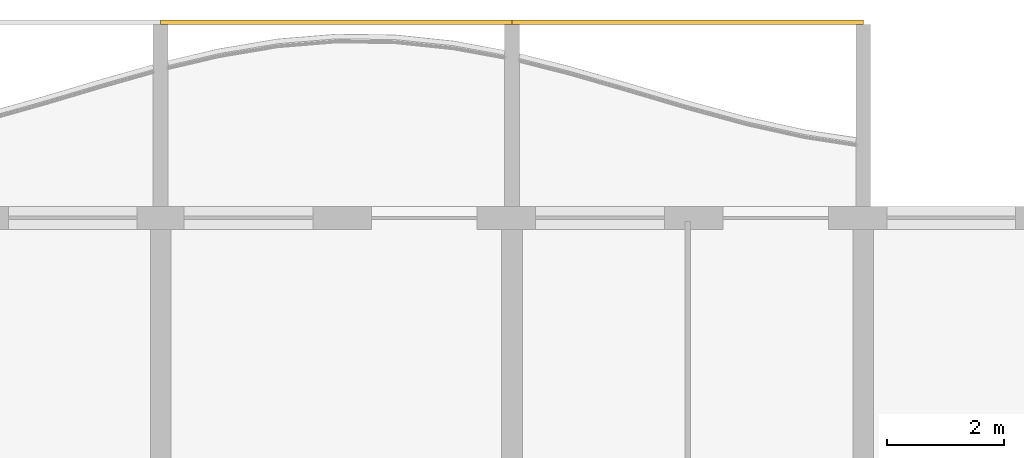
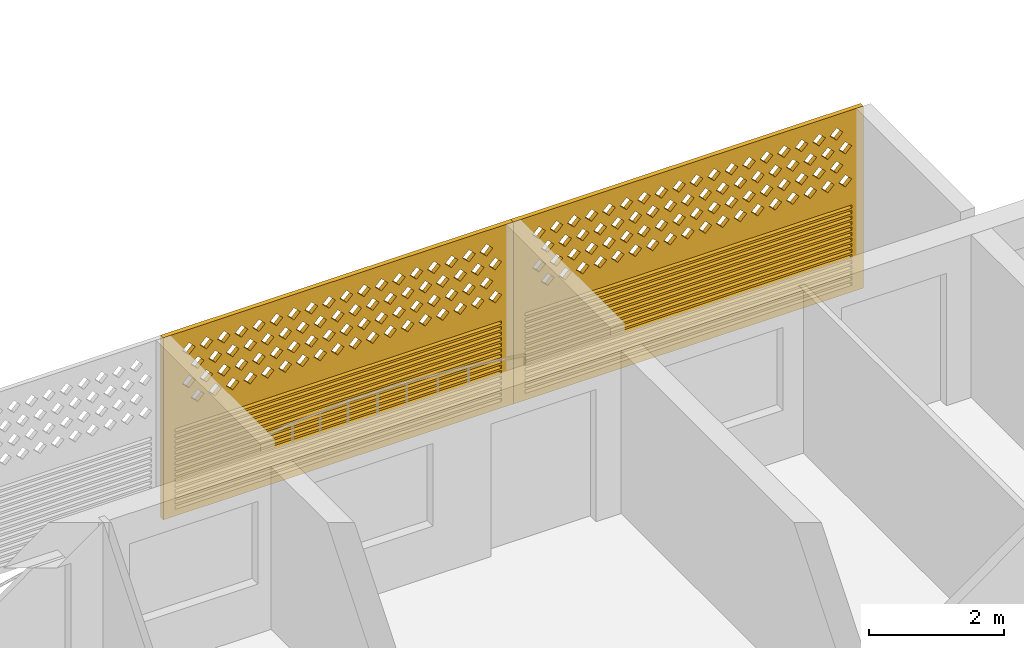
# One storey, part 22 of 24: 2 coverings.
"""IFC4 building model written with IfcOpenShell, lengths in metres."""

from ifc_helpers import new_model, si_unit, direction, frame, origin, place, context, subcontext, project, spatial, polyline, outline, extrude, source, transform, mapped, material, material_profile, profile_set, type_object, element, save


model = new_model("IFC4")

# Units and contexts
model_context = context("Model", 3, precision=1e-05, world=origin(), true_north=direction((0.0, 1.0)))
body_context = subcontext(model_context, "Body", "Model", "MODEL_VIEW")
ifc_project = project(units=[si_unit("LENGTHUNIT", "METRE"), si_unit("AREAUNIT", "SQUARE_METRE"), si_unit("VOLUMEUNIT", "CUBIC_METRE"), si_unit("PLANEANGLEUNIT", "RADIAN"), si_unit("MASSUNIT", "GRAM", prefix="KILO")], contexts=[model_context])

# Site, building, storey
site_placement = place(None, origin())
site = spatial("IfcSite", under=ifc_project, at=site_placement, CompositionType="ELEMENT")
building_placement = place(site_placement, origin())
building = spatial("IfcBuilding", under=site, at=building_placement, Name="Poui Terraces", CompositionType="ELEMENT")
storey_placement = place(building_placement, frame((0.0, 0.0, 112.5)))
storey = spatial("IfcBuildingStorey", under=building, at=storey_placement, Name="L31", CompositionType="ELEMENT", Elevation=112.5)

# Coverings
ifc_material = material(Name="Terracotta screen", Category="masonry")
ifc_material_profile = material_profile(ifc_material, outline(polyline([(-3.0, -1.64990234375), (3.0, -1.64990234375), (3.0, 1.64990234375), (-3.0, 1.64990234375), (-3.0, -1.64990234375)]), holes=[polyline([(-2.800048828125, 0.39990234375), (-2.68994140625, 0.2900390625), (-2.580078125, 0.39990234375), (-2.68994140625, 0.510009765625), (-2.800048828125, 0.39990234375)]), polyline([(-2.5, 0.39990234375), (-2.389892578125, 0.2900390625), (-2.280029296875, 0.39990234375), (-2.389892578125, 0.510009765625), (-2.5, 0.39990234375)]), polyline([(-2.199951171875, 0.39990234375), (-2.090087890625, 0.2900390625), (-1.97998046875, 0.39990234375), (-2.090087890625, 0.510009765625), (-2.199951171875, 0.39990234375)]), polyline([(-1.89990234375, 0.39990234375), (-1.7900390625, 0.2900390625), (-1.679931640625, 0.39990234375), (-1.7900390625, 0.510009765625), (-1.89990234375, 0.39990234375)]), polyline([(-1.60009765625, 0.39990234375), (-1.489990234375, 0.2900390625), (-1.3798828125, 0.39990234375), (-1.489990234375, 0.510009765625), (-1.60009765625, 0.39990234375)]), polyline([(-1.300048828125, 0.39990234375), (-1.18994140625, 0.2900390625), (-1.080078125, 0.39990234375), (-1.18994140625, 0.510009765625), (-1.300048828125, 0.39990234375)]), polyline([(-1.0, 0.39990234375), (-0.889892578125, 0.2900390625), (-0.780029296875, 0.39990234375), (-0.889892578125, 0.510009765625), (-1.0, 0.39990234375)]), polyline([(-0.699951171875, 0.39990234375), (-0.590087890625, 0.2900390625), (-0.47998046875, 0.39990234375), (-0.590087890625, 0.510009765625), (-0.699951171875, 0.39990234375)]), polyline([(-0.39990234375, 0.39990234375), (-0.2900390625, 0.2900390625), (-0.179931640625, 0.39990234375), (-0.2900390625, 0.510009765625), (-0.39990234375, 0.39990234375)]), polyline([(-0.10009765625, 0.39990234375), (0.010009765625, 0.2900390625), (0.1201171875, 0.39990234375), (0.010009765625, 0.510009765625), (-0.10009765625, 0.39990234375)]), polyline([(0.199951171875, 0.39990234375), (0.31005859375, 0.2900390625), (0.419921875, 0.39990234375), (0.31005859375, 0.510009765625), (0.199951171875, 0.39990234375)]), polyline([(0.5, 0.39990234375), (0.610107421875, 0.2900390625), (0.719970703125, 0.39990234375), (0.610107421875, 0.510009765625), (0.5, 0.39990234375)]), polyline([(0.800048828125, 0.39990234375), (0.909912109375, 0.2900390625), (1.02001953125, 0.39990234375), (0.909912109375, 0.510009765625), (0.800048828125, 0.39990234375)]), polyline([(1.10009765625, 0.39990234375), (1.2099609375, 0.2900390625), (1.320068359375, 0.39990234375), (1.2099609375, 0.510009765625), (1.10009765625, 0.39990234375)]), polyline([(1.39990234375, 0.39990234375), (1.510009765625, 0.2900390625), (1.6201171875, 0.39990234375), (1.510009765625, 0.510009765625), (1.39990234375, 0.39990234375)]), polyline([(1.699951171875, 0.39990234375), (1.81005859375, 0.2900390625), (1.919921875, 0.39990234375), (1.81005859375, 0.510009765625), (1.699951171875, 0.39990234375)]), polyline([(2.0, 0.39990234375), (2.110107421875, 0.2900390625), (2.219970703125, 0.39990234375), (2.110107421875, 0.510009765625), (2.0, 0.39990234375)]), polyline([(2.300048828125, 0.39990234375), (2.409912109375, 0.2900390625), (2.52001953125, 0.39990234375), (2.409912109375, 0.510009765625), (2.300048828125, 0.39990234375)]), polyline([(-2.64990234375, 0.699951171875), (-2.5400390625, 0.590087890625), (-2.429931640625, 0.699951171875), (-2.5400390625, 0.81005859375), (-2.64990234375, 0.699951171875)]), polyline([(-2.35009765625, 0.699951171875), (-2.239990234375, 0.590087890625), (-2.1298828125, 0.699951171875), (-2.239990234375, 0.81005859375), (-2.35009765625, 0.699951171875)]), polyline([(-2.050048828125, 0.699951171875), (-1.93994140625, 0.590087890625), (-1.830078125, 0.699951171875), (-1.93994140625, 0.81005859375), (-2.050048828125, 0.699951171875)]), polyline([(-1.75, 0.699951171875), (-1.639892578125, 0.590087890625), (-1.530029296875, 0.699951171875), (-1.639892578125, 0.81005859375), (-1.75, 0.699951171875)]), polyline([(-1.449951171875, 0.699951171875), (-1.340087890625, 0.590087890625), (-1.22998046875, 0.699951171875), (-1.340087890625, 0.81005859375), (-1.449951171875, 0.699951171875)]), polyline([(-1.14990234375, 0.699951171875), (-1.0400390625, 0.590087890625), (-0.929931640625, 0.699951171875), (-1.0400390625, 0.81005859375), (-1.14990234375, 0.699951171875)]), polyline([(-0.85009765625, 0.699951171875), (-0.739990234375, 0.590087890625), (-0.6298828125, 0.699951171875), (-0.739990234375, 0.81005859375), (-0.85009765625, 0.699951171875)]), polyline([(-0.550048828125, 0.699951171875), (-0.43994140625, 0.590087890625), (-0.330078125, 0.699951171875), (-0.43994140625, 0.81005859375), (-0.550048828125, 0.699951171875)]), polyline([(-0.25, 0.699951171875), (-0.139892578125, 0.590087890625), (-0.030029296875, 0.699951171875), (-0.139892578125, 0.81005859375), (-0.25, 0.699951171875)]), polyline([(0.050048828125, 0.699951171875), (0.159912109375, 0.590087890625), (0.27001953125, 0.699951171875), (0.159912109375, 0.81005859375), (0.050048828125, 0.699951171875)]), polyline([(0.35009765625, 0.699951171875), (0.4599609375, 0.590087890625), (0.570068359375, 0.699951171875), (0.4599609375, 0.81005859375), (0.35009765625, 0.699951171875)]), polyline([(0.64990234375, 0.699951171875), (0.760009765625, 0.590087890625), (0.8701171875, 0.699951171875), (0.760009765625, 0.81005859375), (0.64990234375, 0.699951171875)]), polyline([(0.949951171875, 0.699951171875), (1.06005859375, 0.590087890625), (1.169921875, 0.699951171875), (1.06005859375, 0.81005859375), (0.949951171875, 0.699951171875)]), polyline([(1.25, 0.699951171875), (1.360107421875, 0.590087890625), (1.469970703125, 0.699951171875), (1.360107421875, 0.81005859375), (1.25, 0.699951171875)]), polyline([(1.550048828125, 0.699951171875), (1.659912109375, 0.590087890625), (1.77001953125, 0.699951171875), (1.659912109375, 0.81005859375), (1.550048828125, 0.699951171875)]), polyline([(1.85009765625, 0.699951171875), (1.9599609375, 0.590087890625), (2.070068359375, 0.699951171875), (1.9599609375, 0.81005859375), (1.85009765625, 0.699951171875)]), polyline([(2.14990234375, 0.699951171875), (2.260009765625, 0.590087890625), (2.3701171875, 0.699951171875), (2.260009765625, 0.81005859375), (2.14990234375, 0.699951171875)]), polyline([(2.449951171875, 0.699951171875), (2.56005859375, 0.590087890625), (2.669921875, 0.699951171875), (2.56005859375, 0.81005859375), (2.449951171875, 0.699951171875)]), polyline([(-2.800048828125, 1.0), (-2.68994140625, 0.889892578125), (-2.580078125, 1.0), (-2.68994140625, 1.110107421875), (-2.800048828125, 1.0)]), polyline([(-2.5, 1.0), (-2.389892578125, 0.889892578125), (-2.280029296875, 1.0), (-2.389892578125, 1.110107421875), (-2.5, 1.0)]), polyline([(-2.199951171875, 1.0), (-2.090087890625, 0.889892578125), (-1.97998046875, 1.0), (-2.090087890625, 1.110107421875), (-2.199951171875, 1.0)]), polyline([(-1.89990234375, 1.0), (-1.7900390625, 0.889892578125), (-1.679931640625, 1.0), (-1.7900390625, 1.110107421875), (-1.89990234375, 1.0)]), polyline([(-1.60009765625, 1.0), (-1.489990234375, 0.889892578125), (-1.3798828125, 1.0), (-1.489990234375, 1.110107421875), (-1.60009765625, 1.0)]), polyline([(-1.300048828125, 1.0), (-1.18994140625, 0.889892578125), (-1.080078125, 1.0), (-1.18994140625, 1.110107421875), (-1.300048828125, 1.0)]), polyline([(-1.0, 1.0), (-0.889892578125, 0.889892578125), (-0.780029296875, 1.0), (-0.889892578125, 1.110107421875), (-1.0, 1.0)]), polyline([(-0.699951171875, 1.0), (-0.590087890625, 0.889892578125), (-0.47998046875, 1.0), (-0.590087890625, 1.110107421875), (-0.699951171875, 1.0)]), polyline([(-0.39990234375, 1.0), (-0.2900390625, 0.889892578125), (-0.179931640625, 1.0), (-0.2900390625, 1.110107421875), (-0.39990234375, 1.0)]), polyline([(-0.10009765625, 1.0), (0.010009765625, 0.889892578125), (0.1201171875, 1.0), (0.010009765625, 1.110107421875), (-0.10009765625, 1.0)]), polyline([(0.199951171875, 1.0), (0.31005859375, 0.889892578125), (0.419921875, 1.0), (0.31005859375, 1.110107421875), (0.199951171875, 1.0)]), polyline([(0.5, 1.0), (0.610107421875, 0.889892578125), (0.719970703125, 1.0), (0.610107421875, 1.110107421875), (0.5, 1.0)]), polyline([(0.800048828125, 1.0), (0.909912109375, 0.889892578125), (1.02001953125, 1.0), (0.909912109375, 1.110107421875), (0.800048828125, 1.0)]), polyline([(1.10009765625, 1.0), (1.2099609375, 0.889892578125), (1.320068359375, 1.0), (1.2099609375, 1.110107421875), (1.10009765625, 1.0)]), polyline([(1.39990234375, 1.0), (1.510009765625, 0.889892578125), (1.6201171875, 1.0), (1.510009765625, 1.110107421875), (1.39990234375, 1.0)]), polyline([(1.699951171875, 1.0), (1.81005859375, 0.889892578125), (1.919921875, 1.0), (1.81005859375, 1.110107421875), (1.699951171875, 1.0)]), polyline([(2.0, 1.0), (2.110107421875, 0.889892578125), (2.219970703125, 1.0), (2.110107421875, 1.110107421875), (2.0, 1.0)]), polyline([(2.300048828125, 1.0), (2.409912109375, 0.889892578125), (2.52001953125, 1.0), (2.409912109375, 1.110107421875), (2.300048828125, 1.0)]), polyline([(-2.64990234375, 1.300048828125), (-2.5400390625, 1.18994140625), (-2.429931640625, 1.300048828125), (-2.5400390625, 1.409912109375), (-2.64990234375, 1.300048828125)]), polyline([(-2.35009765625, 1.300048828125), (-2.239990234375, 1.18994140625), (-2.1298828125, 1.300048828125), (-2.239990234375, 1.409912109375), (-2.35009765625, 1.300048828125)]), polyline([(-2.050048828125, 1.300048828125), (-1.93994140625, 1.18994140625), (-1.830078125, 1.300048828125), (-1.93994140625, 1.409912109375), (-2.050048828125, 1.300048828125)]), polyline([(-1.75, 1.300048828125), (-1.639892578125, 1.18994140625), (-1.530029296875, 1.300048828125), (-1.639892578125, 1.409912109375), (-1.75, 1.300048828125)]), polyline([(-1.449951171875, 1.300048828125), (-1.340087890625, 1.18994140625), (-1.22998046875, 1.300048828125), (-1.340087890625, 1.409912109375), (-1.449951171875, 1.300048828125)]), polyline([(-1.14990234375, 1.300048828125), (-1.0400390625, 1.18994140625), (-0.929931640625, 1.300048828125), (-1.0400390625, 1.409912109375), (-1.14990234375, 1.300048828125)]), polyline([(-0.85009765625, 1.300048828125), (-0.739990234375, 1.18994140625), (-0.6298828125, 1.300048828125), (-0.739990234375, 1.409912109375), (-0.85009765625, 1.300048828125)]), polyline([(-0.550048828125, 1.300048828125), (-0.43994140625, 1.18994140625), (-0.330078125, 1.300048828125), (-0.43994140625, 1.409912109375), (-0.550048828125, 1.300048828125)]), polyline([(-0.25, 1.300048828125), (-0.139892578125, 1.18994140625), (-0.030029296875, 1.300048828125), (-0.139892578125, 1.409912109375), (-0.25, 1.300048828125)]), polyline([(0.050048828125, 1.300048828125), (0.159912109375, 1.18994140625), (0.27001953125, 1.300048828125), (0.159912109375, 1.409912109375), (0.050048828125, 1.300048828125)]), polyline([(0.35009765625, 1.300048828125), (0.4599609375, 1.18994140625), (0.570068359375, 1.300048828125), (0.4599609375, 1.409912109375), (0.35009765625, 1.300048828125)]), polyline([(0.64990234375, 1.300048828125), (0.760009765625, 1.18994140625), (0.8701171875, 1.300048828125), (0.760009765625, 1.409912109375), (0.64990234375, 1.300048828125)]), polyline([(0.949951171875, 1.300048828125), (1.06005859375, 1.18994140625), (1.169921875, 1.300048828125), (1.06005859375, 1.409912109375), (0.949951171875, 1.300048828125)]), polyline([(1.25, 1.300048828125), (1.360107421875, 1.18994140625), (1.469970703125, 1.300048828125), (1.360107421875, 1.409912109375), (1.25, 1.300048828125)]), polyline([(1.550048828125, 1.300048828125), (1.659912109375, 1.18994140625), (1.77001953125, 1.300048828125), (1.659912109375, 1.409912109375), (1.550048828125, 1.300048828125)]), polyline([(1.85009765625, 1.300048828125), (1.9599609375, 1.18994140625), (2.070068359375, 1.300048828125), (1.9599609375, 1.409912109375), (1.85009765625, 1.300048828125)]), polyline([(2.14990234375, 1.300048828125), (2.260009765625, 1.18994140625), (2.3701171875, 1.300048828125), (2.260009765625, 1.409912109375), (2.14990234375, 1.300048828125)]), polyline([(2.449951171875, 1.300048828125), (2.56005859375, 1.18994140625), (2.669921875, 1.300048828125), (2.56005859375, 1.409912109375), (2.449951171875, 1.300048828125)]), polyline([(-2.800048828125, -1.530029296875), (2.800048828125, -1.530029296875), (2.800048828125, -1.469970703125), (-2.800048828125, -1.469970703125), (-2.800048828125, -1.530029296875)]), polyline([(-2.800048828125, -1.429931640625), (2.800048828125, -1.429931640625), (2.800048828125, -1.3701171875), (-2.800048828125, -1.3701171875), (-2.800048828125, -1.429931640625)]), polyline([(-2.800048828125, -1.330078125), (2.800048828125, -1.330078125), (2.800048828125, -1.27001953125), (-2.800048828125, -1.27001953125), (-2.800048828125, -1.330078125)]), polyline([(-2.800048828125, -1.22998046875), (2.800048828125, -1.22998046875), (2.800048828125, -1.169921875), (-2.800048828125, -1.169921875), (-2.800048828125, -1.22998046875)]), polyline([(-2.800048828125, -1.1298828125), (2.800048828125, -1.1298828125), (2.800048828125, -1.070068359375), (-2.800048828125, -1.070068359375), (-2.800048828125, -1.1298828125)]), polyline([(-2.800048828125, -1.030029296875), (2.800048828125, -1.030029296875), (2.800048828125, -0.969970703125), (-2.800048828125, -0.969970703125), (-2.800048828125, -1.030029296875)]), polyline([(-2.800048828125, -0.929931640625), (2.800048828125, -0.929931640625), (2.800048828125, -0.8701171875), (-2.800048828125, -0.8701171875), (-2.800048828125, -0.929931640625)]), polyline([(-2.800048828125, -0.830078125), (2.800048828125, -0.830078125), (2.800048828125, -0.77001953125), (-2.800048828125, -0.77001953125), (-2.800048828125, -0.830078125)]), polyline([(-2.800048828125, -0.72998046875), (2.800048828125, -0.72998046875), (2.800048828125, -0.669921875), (-2.800048828125, -0.669921875), (-2.800048828125, -0.72998046875)]), polyline([(-2.800048828125, -0.6298828125), (2.800048828125, -0.6298828125), (2.800048828125, -0.570068359375), (-2.800048828125, -0.570068359375), (-2.800048828125, -0.6298828125)]), polyline([(-2.800048828125, -0.530029296875), (2.800048828125, -0.530029296875), (2.800048828125, -0.469970703125), (-2.800048828125, -0.469970703125), (-2.800048828125, -0.530029296875)]), polyline([(-2.800048828125, -0.429931640625), (2.800048828125, -0.429931640625), (2.800048828125, -0.3701171875), (-2.800048828125, -0.3701171875), (-2.800048828125, -0.429931640625)]), polyline([(-2.800048828125, -0.330078125), (2.800048828125, -0.330078125), (2.800048828125, -0.27001953125), (-2.800048828125, -0.27001953125), (-2.800048828125, -0.330078125)]), polyline([(-2.800048828125, -0.22998046875), (2.800048828125, -0.22998046875), (2.800048828125, -0.169921875), (-2.800048828125, -0.169921875), (-2.800048828125, -0.22998046875)]), polyline([(-2.800048828125, -0.1298828125), (2.800048828125, -0.1298828125), (2.800048828125, -0.070068359375), (-2.800048828125, -0.070068359375), (-2.800048828125, -0.1298828125)])]), Name="TERRACOTTA SCREEN AND JALOUSIE LOUVRE 6000X3300")
ifc_profile_set = profile_set([ifc_material_profile], Name="Terracotta screen")
covering_type = type_object("IfcCoveringType", Name="TERRACOTTA SCREEN AND JALOUSIE LOUVRE 6000X3300", PredefinedType="CLADDING", material=ifc_profile_set)
shared_shape = source(origin(), body_context, "Body", "SweptSolid", [
    extrude(outline(polyline([(-3.0, -1.64990234375), (3.0, -1.64990234375), (3.0, 1.64990234375), (-3.0, 1.64990234375), (-3.0, -1.64990234375)]), holes=[polyline([(-2.800048828125, 0.39990234375), (-2.68994140625, 0.2900390625), (-2.580078125, 0.39990234375), (-2.68994140625, 0.510009765625), (-2.800048828125, 0.39990234375)]), polyline([(-2.5, 0.39990234375), (-2.389892578125, 0.2900390625), (-2.280029296875, 0.39990234375), (-2.389892578125, 0.510009765625), (-2.5, 0.39990234375)]), polyline([(-2.199951171875, 0.39990234375), (-2.090087890625, 0.2900390625), (-1.97998046875, 0.39990234375), (-2.090087890625, 0.510009765625), (-2.199951171875, 0.39990234375)]), polyline([(-1.89990234375, 0.39990234375), (-1.7900390625, 0.2900390625), (-1.679931640625, 0.39990234375), (-1.7900390625, 0.510009765625), (-1.89990234375, 0.39990234375)]), polyline([(-1.60009765625, 0.39990234375), (-1.489990234375, 0.2900390625), (-1.3798828125, 0.39990234375), (-1.489990234375, 0.510009765625), (-1.60009765625, 0.39990234375)]), polyline([(-1.300048828125, 0.39990234375), (-1.18994140625, 0.2900390625), (-1.080078125, 0.39990234375), (-1.18994140625, 0.510009765625), (-1.300048828125, 0.39990234375)]), polyline([(-1.0, 0.39990234375), (-0.889892578125, 0.2900390625), (-0.780029296875, 0.39990234375), (-0.889892578125, 0.510009765625), (-1.0, 0.39990234375)]), polyline([(-0.699951171875, 0.39990234375), (-0.590087890625, 0.2900390625), (-0.47998046875, 0.39990234375), (-0.590087890625, 0.510009765625), (-0.699951171875, 0.39990234375)]), polyline([(-0.39990234375, 0.39990234375), (-0.2900390625, 0.2900390625), (-0.179931640625, 0.39990234375), (-0.2900390625, 0.510009765625), (-0.39990234375, 0.39990234375)]), polyline([(-0.10009765625, 0.39990234375), (0.010009765625, 0.2900390625), (0.1201171875, 0.39990234375), (0.010009765625, 0.510009765625), (-0.10009765625, 0.39990234375)]), polyline([(0.199951171875, 0.39990234375), (0.31005859375, 0.2900390625), (0.419921875, 0.39990234375), (0.31005859375, 0.510009765625), (0.199951171875, 0.39990234375)]), polyline([(0.5, 0.39990234375), (0.610107421875, 0.2900390625), (0.719970703125, 0.39990234375), (0.610107421875, 0.510009765625), (0.5, 0.39990234375)]), polyline([(0.800048828125, 0.39990234375), (0.909912109375, 0.2900390625), (1.02001953125, 0.39990234375), (0.909912109375, 0.510009765625), (0.800048828125, 0.39990234375)]), polyline([(1.10009765625, 0.39990234375), (1.2099609375, 0.2900390625), (1.320068359375, 0.39990234375), (1.2099609375, 0.510009765625), (1.10009765625, 0.39990234375)]), polyline([(1.39990234375, 0.39990234375), (1.510009765625, 0.2900390625), (1.6201171875, 0.39990234375), (1.510009765625, 0.510009765625), (1.39990234375, 0.39990234375)]), polyline([(1.699951171875, 0.39990234375), (1.81005859375, 0.2900390625), (1.919921875, 0.39990234375), (1.81005859375, 0.510009765625), (1.699951171875, 0.39990234375)]), polyline([(2.0, 0.39990234375), (2.110107421875, 0.2900390625), (2.219970703125, 0.39990234375), (2.110107421875, 0.510009765625), (2.0, 0.39990234375)]), polyline([(2.300048828125, 0.39990234375), (2.409912109375, 0.2900390625), (2.52001953125, 0.39990234375), (2.409912109375, 0.510009765625), (2.300048828125, 0.39990234375)]), polyline([(-2.64990234375, 0.699951171875), (-2.5400390625, 0.590087890625), (-2.429931640625, 0.699951171875), (-2.5400390625, 0.81005859375), (-2.64990234375, 0.699951171875)]), polyline([(-2.35009765625, 0.699951171875), (-2.239990234375, 0.590087890625), (-2.1298828125, 0.699951171875), (-2.239990234375, 0.81005859375), (-2.35009765625, 0.699951171875)]), polyline([(-2.050048828125, 0.699951171875), (-1.93994140625, 0.590087890625), (-1.830078125, 0.699951171875), (-1.93994140625, 0.81005859375), (-2.050048828125, 0.699951171875)]), polyline([(-1.75, 0.699951171875), (-1.639892578125, 0.590087890625), (-1.530029296875, 0.699951171875), (-1.639892578125, 0.81005859375), (-1.75, 0.699951171875)]), polyline([(-1.449951171875, 0.699951171875), (-1.340087890625, 0.590087890625), (-1.22998046875, 0.699951171875), (-1.340087890625, 0.81005859375), (-1.449951171875, 0.699951171875)]), polyline([(-1.14990234375, 0.699951171875), (-1.0400390625, 0.590087890625), (-0.929931640625, 0.699951171875), (-1.0400390625, 0.81005859375), (-1.14990234375, 0.699951171875)]), polyline([(-0.85009765625, 0.699951171875), (-0.739990234375, 0.590087890625), (-0.6298828125, 0.699951171875), (-0.739990234375, 0.81005859375), (-0.85009765625, 0.699951171875)]), polyline([(-0.550048828125, 0.699951171875), (-0.43994140625, 0.590087890625), (-0.330078125, 0.699951171875), (-0.43994140625, 0.81005859375), (-0.550048828125, 0.699951171875)]), polyline([(-0.25, 0.699951171875), (-0.139892578125, 0.590087890625), (-0.030029296875, 0.699951171875), (-0.139892578125, 0.81005859375), (-0.25, 0.699951171875)]), polyline([(0.050048828125, 0.699951171875), (0.159912109375, 0.590087890625), (0.27001953125, 0.699951171875), (0.159912109375, 0.81005859375), (0.050048828125, 0.699951171875)]), polyline([(0.35009765625, 0.699951171875), (0.4599609375, 0.590087890625), (0.570068359375, 0.699951171875), (0.4599609375, 0.81005859375), (0.35009765625, 0.699951171875)]), polyline([(0.64990234375, 0.699951171875), (0.760009765625, 0.590087890625), (0.8701171875, 0.699951171875), (0.760009765625, 0.81005859375), (0.64990234375, 0.699951171875)]), polyline([(0.949951171875, 0.699951171875), (1.06005859375, 0.590087890625), (1.169921875, 0.699951171875), (1.06005859375, 0.81005859375), (0.949951171875, 0.699951171875)]), polyline([(1.25, 0.699951171875), (1.360107421875, 0.590087890625), (1.469970703125, 0.699951171875), (1.360107421875, 0.81005859375), (1.25, 0.699951171875)]), polyline([(1.550048828125, 0.699951171875), (1.659912109375, 0.590087890625), (1.77001953125, 0.699951171875), (1.659912109375, 0.81005859375), (1.550048828125, 0.699951171875)]), polyline([(1.85009765625, 0.699951171875), (1.9599609375, 0.590087890625), (2.070068359375, 0.699951171875), (1.9599609375, 0.81005859375), (1.85009765625, 0.699951171875)]), polyline([(2.14990234375, 0.699951171875), (2.260009765625, 0.590087890625), (2.3701171875, 0.699951171875), (2.260009765625, 0.81005859375), (2.14990234375, 0.699951171875)]), polyline([(2.449951171875, 0.699951171875), (2.56005859375, 0.590087890625), (2.669921875, 0.699951171875), (2.56005859375, 0.81005859375), (2.449951171875, 0.699951171875)]), polyline([(-2.800048828125, 1.0), (-2.68994140625, 0.889892578125), (-2.580078125, 1.0), (-2.68994140625, 1.110107421875), (-2.800048828125, 1.0)]), polyline([(-2.5, 1.0), (-2.389892578125, 0.889892578125), (-2.280029296875, 1.0), (-2.389892578125, 1.110107421875), (-2.5, 1.0)]), polyline([(-2.199951171875, 1.0), (-2.090087890625, 0.889892578125), (-1.97998046875, 1.0), (-2.090087890625, 1.110107421875), (-2.199951171875, 1.0)]), polyline([(-1.89990234375, 1.0), (-1.7900390625, 0.889892578125), (-1.679931640625, 1.0), (-1.7900390625, 1.110107421875), (-1.89990234375, 1.0)]), polyline([(-1.60009765625, 1.0), (-1.489990234375, 0.889892578125), (-1.3798828125, 1.0), (-1.489990234375, 1.110107421875), (-1.60009765625, 1.0)]), polyline([(-1.300048828125, 1.0), (-1.18994140625, 0.889892578125), (-1.080078125, 1.0), (-1.18994140625, 1.110107421875), (-1.300048828125, 1.0)]), polyline([(-1.0, 1.0), (-0.889892578125, 0.889892578125), (-0.780029296875, 1.0), (-0.889892578125, 1.110107421875), (-1.0, 1.0)]), polyline([(-0.699951171875, 1.0), (-0.590087890625, 0.889892578125), (-0.47998046875, 1.0), (-0.590087890625, 1.110107421875), (-0.699951171875, 1.0)]), polyline([(-0.39990234375, 1.0), (-0.2900390625, 0.889892578125), (-0.179931640625, 1.0), (-0.2900390625, 1.110107421875), (-0.39990234375, 1.0)]), polyline([(-0.10009765625, 1.0), (0.010009765625, 0.889892578125), (0.1201171875, 1.0), (0.010009765625, 1.110107421875), (-0.10009765625, 1.0)]), polyline([(0.199951171875, 1.0), (0.31005859375, 0.889892578125), (0.419921875, 1.0), (0.31005859375, 1.110107421875), (0.199951171875, 1.0)]), polyline([(0.5, 1.0), (0.610107421875, 0.889892578125), (0.719970703125, 1.0), (0.610107421875, 1.110107421875), (0.5, 1.0)]), polyline([(0.800048828125, 1.0), (0.909912109375, 0.889892578125), (1.02001953125, 1.0), (0.909912109375, 1.110107421875), (0.800048828125, 1.0)]), polyline([(1.10009765625, 1.0), (1.2099609375, 0.889892578125), (1.320068359375, 1.0), (1.2099609375, 1.110107421875), (1.10009765625, 1.0)]), polyline([(1.39990234375, 1.0), (1.510009765625, 0.889892578125), (1.6201171875, 1.0), (1.510009765625, 1.110107421875), (1.39990234375, 1.0)]), polyline([(1.699951171875, 1.0), (1.81005859375, 0.889892578125), (1.919921875, 1.0), (1.81005859375, 1.110107421875), (1.699951171875, 1.0)]), polyline([(2.0, 1.0), (2.110107421875, 0.889892578125), (2.219970703125, 1.0), (2.110107421875, 1.110107421875), (2.0, 1.0)]), polyline([(2.300048828125, 1.0), (2.409912109375, 0.889892578125), (2.52001953125, 1.0), (2.409912109375, 1.110107421875), (2.300048828125, 1.0)]), polyline([(-2.64990234375, 1.300048828125), (-2.5400390625, 1.18994140625), (-2.429931640625, 1.300048828125), (-2.5400390625, 1.409912109375), (-2.64990234375, 1.300048828125)]), polyline([(-2.35009765625, 1.300048828125), (-2.239990234375, 1.18994140625), (-2.1298828125, 1.300048828125), (-2.239990234375, 1.409912109375), (-2.35009765625, 1.300048828125)]), polyline([(-2.050048828125, 1.300048828125), (-1.93994140625, 1.18994140625), (-1.830078125, 1.300048828125), (-1.93994140625, 1.409912109375), (-2.050048828125, 1.300048828125)]), polyline([(-1.75, 1.300048828125), (-1.639892578125, 1.18994140625), (-1.530029296875, 1.300048828125), (-1.639892578125, 1.409912109375), (-1.75, 1.300048828125)]), polyline([(-1.449951171875, 1.300048828125), (-1.340087890625, 1.18994140625), (-1.22998046875, 1.300048828125), (-1.340087890625, 1.409912109375), (-1.449951171875, 1.300048828125)]), polyline([(-1.14990234375, 1.300048828125), (-1.0400390625, 1.18994140625), (-0.929931640625, 1.300048828125), (-1.0400390625, 1.409912109375), (-1.14990234375, 1.300048828125)]), polyline([(-0.85009765625, 1.300048828125), (-0.739990234375, 1.18994140625), (-0.6298828125, 1.300048828125), (-0.739990234375, 1.409912109375), (-0.85009765625, 1.300048828125)]), polyline([(-0.550048828125, 1.300048828125), (-0.43994140625, 1.18994140625), (-0.330078125, 1.300048828125), (-0.43994140625, 1.409912109375), (-0.550048828125, 1.300048828125)]), polyline([(-0.25, 1.300048828125), (-0.139892578125, 1.18994140625), (-0.030029296875, 1.300048828125), (-0.139892578125, 1.409912109375), (-0.25, 1.300048828125)]), polyline([(0.050048828125, 1.300048828125), (0.159912109375, 1.18994140625), (0.27001953125, 1.300048828125), (0.159912109375, 1.409912109375), (0.050048828125, 1.300048828125)]), polyline([(0.35009765625, 1.300048828125), (0.4599609375, 1.18994140625), (0.570068359375, 1.300048828125), (0.4599609375, 1.409912109375), (0.35009765625, 1.300048828125)]), polyline([(0.64990234375, 1.300048828125), (0.760009765625, 1.18994140625), (0.8701171875, 1.300048828125), (0.760009765625, 1.409912109375), (0.64990234375, 1.300048828125)]), polyline([(0.949951171875, 1.300048828125), (1.06005859375, 1.18994140625), (1.169921875, 1.300048828125), (1.06005859375, 1.409912109375), (0.949951171875, 1.300048828125)]), polyline([(1.25, 1.300048828125), (1.360107421875, 1.18994140625), (1.469970703125, 1.300048828125), (1.360107421875, 1.409912109375), (1.25, 1.300048828125)]), polyline([(1.550048828125, 1.300048828125), (1.659912109375, 1.18994140625), (1.77001953125, 1.300048828125), (1.659912109375, 1.409912109375), (1.550048828125, 1.300048828125)]), polyline([(1.85009765625, 1.300048828125), (1.9599609375, 1.18994140625), (2.070068359375, 1.300048828125), (1.9599609375, 1.409912109375), (1.85009765625, 1.300048828125)]), polyline([(2.14990234375, 1.300048828125), (2.260009765625, 1.18994140625), (2.3701171875, 1.300048828125), (2.260009765625, 1.409912109375), (2.14990234375, 1.300048828125)]), polyline([(2.449951171875, 1.300048828125), (2.56005859375, 1.18994140625), (2.669921875, 1.300048828125), (2.56005859375, 1.409912109375), (2.449951171875, 1.300048828125)]), polyline([(-2.800048828125, -1.530029296875), (2.800048828125, -1.530029296875), (2.800048828125, -1.469970703125), (-2.800048828125, -1.469970703125), (-2.800048828125, -1.530029296875)]), polyline([(-2.800048828125, -1.429931640625), (2.800048828125, -1.429931640625), (2.800048828125, -1.3701171875), (-2.800048828125, -1.3701171875), (-2.800048828125, -1.429931640625)]), polyline([(-2.800048828125, -1.330078125), (2.800048828125, -1.330078125), (2.800048828125, -1.27001953125), (-2.800048828125, -1.27001953125), (-2.800048828125, -1.330078125)]), polyline([(-2.800048828125, -1.22998046875), (2.800048828125, -1.22998046875), (2.800048828125, -1.169921875), (-2.800048828125, -1.169921875), (-2.800048828125, -1.22998046875)]), polyline([(-2.800048828125, -1.1298828125), (2.800048828125, -1.1298828125), (2.800048828125, -1.070068359375), (-2.800048828125, -1.070068359375), (-2.800048828125, -1.1298828125)]), polyline([(-2.800048828125, -1.030029296875), (2.800048828125, -1.030029296875), (2.800048828125, -0.969970703125), (-2.800048828125, -0.969970703125), (-2.800048828125, -1.030029296875)]), polyline([(-2.800048828125, -0.929931640625), (2.800048828125, -0.929931640625), (2.800048828125, -0.8701171875), (-2.800048828125, -0.8701171875), (-2.800048828125, -0.929931640625)]), polyline([(-2.800048828125, -0.830078125), (2.800048828125, -0.830078125), (2.800048828125, -0.77001953125), (-2.800048828125, -0.77001953125), (-2.800048828125, -0.830078125)]), polyline([(-2.800048828125, -0.72998046875), (2.800048828125, -0.72998046875), (2.800048828125, -0.669921875), (-2.800048828125, -0.669921875), (-2.800048828125, -0.72998046875)]), polyline([(-2.800048828125, -0.6298828125), (2.800048828125, -0.6298828125), (2.800048828125, -0.570068359375), (-2.800048828125, -0.570068359375), (-2.800048828125, -0.6298828125)]), polyline([(-2.800048828125, -0.530029296875), (2.800048828125, -0.530029296875), (2.800048828125, -0.469970703125), (-2.800048828125, -0.469970703125), (-2.800048828125, -0.530029296875)]), polyline([(-2.800048828125, -0.429931640625), (2.800048828125, -0.429931640625), (2.800048828125, -0.3701171875), (-2.800048828125, -0.3701171875), (-2.800048828125, -0.429931640625)]), polyline([(-2.800048828125, -0.330078125), (2.800048828125, -0.330078125), (2.800048828125, -0.27001953125), (-2.800048828125, -0.27001953125), (-2.800048828125, -0.330078125)]), polyline([(-2.800048828125, -0.22998046875), (2.800048828125, -0.22998046875), (2.800048828125, -0.169921875), (-2.800048828125, -0.169921875), (-2.800048828125, -0.22998046875)]), polyline([(-2.800048828125, -0.1298828125), (2.800048828125, -0.1298828125), (2.800048828125, -0.070068359375), (-2.800048828125, -0.070068359375), (-2.800048828125, -0.1298828125)])]), origin(), (0.0, 0.0, 1.0), 0.080078125),
])
for number, where, z_axis, x_axis, name in (
    (1, (63.0, 46.89990234375, 1.449951171875), (0.0, 1.0, 0.0), (-1.0, 0.0, 0.0), "SOLAR SCREEN AND JALOUSIE LOUVRE"),
    (2, (69.0, 46.89990234375, 1.449951171875), (0.0, 1.0, 0.0), (-1.0, 0.0, 0.0), "SOLAR SCREEN AND JALOUSIE LOUVRE"),
):
    element("IfcCovering", number, at=place(storey_placement, frame(where, z_axis=z_axis, x_axis=x_axis)), inside=storey, type_object=covering_type, Name=name, PredefinedType="CLADDING", context=body_context, shape_type="MappedRepresentation", body=[
        mapped(shared_shape, transform((0.0, 0.0, 0.0))),
    ])

save(model, "model.ifc")
